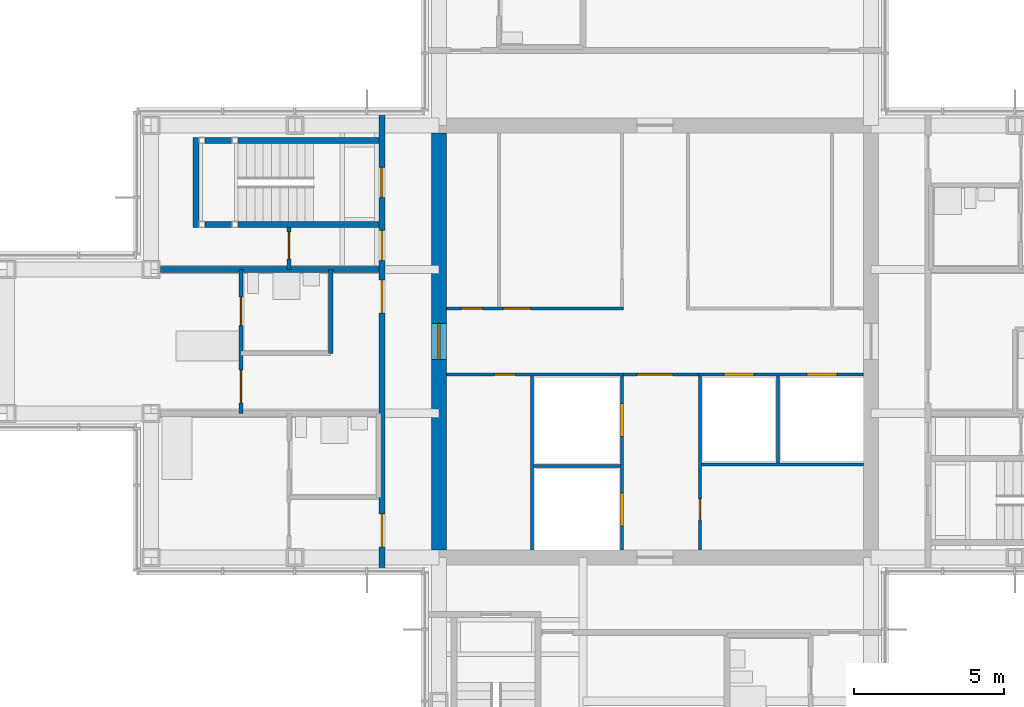
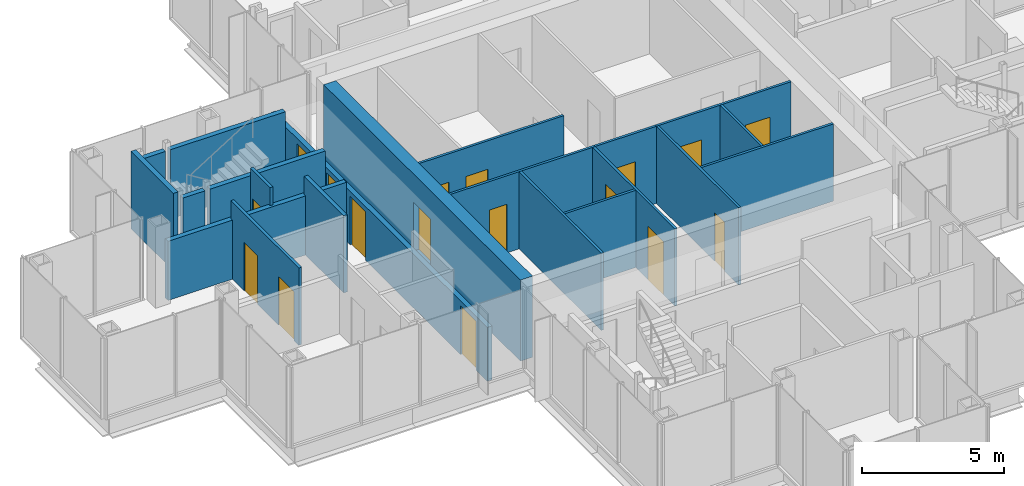
# One storey, part 12 of 17: 21 walls, 17 doors, 17 openings.
"""IFC4 building model written with IfcOpenShell, lengths in metres."""

from ifc_helpers import new_model, si_unit, direction, frame, frame_2d, origin, place, context, subcontext, project, spatial, rectangle, extrude, material, layer, layer_set, type_object, element, fill, save


model = new_model("IFC4")

# Units and contexts
model_context = context("Model", 3, precision=1e-05, world=origin(), true_north=direction((0.0, 1.0)))
body_context = subcontext(model_context, "Body", "Model", "MODEL_VIEW")
ifc_project = project(units=[si_unit("LENGTHUNIT", "METRE"), si_unit("AREAUNIT", "SQUARE_METRE"), si_unit("VOLUMEUNIT", "CUBIC_METRE"), si_unit("PLANEANGLEUNIT", "RADIAN"), si_unit("MASSUNIT", "GRAM", prefix="KILO")], contexts=[model_context])

# Site, building, storey
site_placement = place(None, origin())
site = spatial("IfcSite", under=ifc_project, at=site_placement, CompositionType="ELEMENT")
building_placement = place(site_placement, origin())
building = spatial("IfcBuilding", under=site, at=building_placement, Name="Kvirike Care Tower", CompositionType="ELEMENT")
storey_placement = place(building_placement, frame((0.0, 0.0, 169.0)))
storey = spatial("IfcBuildingStorey", under=building, at=storey_placement, Name="L46", CompositionType="ELEMENT", Elevation=169.0)

# Wall
ifc_material_1 = material(Name="Moisture-resistant board partition", Category="gypsum")
ifc_layer_1 = layer(ifc_material_1, 0.14990234375)
ifc_layer_set_1 = layer_set([ifc_layer_1], Name="BATHROOM WALL 150")
wall_type_1 = type_object("IfcWallType", Name="BATHROOM WALL 150", PredefinedType="PARTITIONING", material=ifc_layer_set_1)
wall_1_placement = place(storey_placement, frame((10.800048828125, 38.39990234375, 0.0), z_axis=(0.0, 0.0, 1.0), x_axis=(0.0, -1.0, 0.0)))
element("IfcWall", 1, at=wall_1_placement, inside=storey, type_object=wall_type_1, Name="Bathroom Wall 150 L46", PredefinedType="PARTITIONING", context=body_context, shape_type="SweptSolid", body=[
    extrude(rectangle(XDim=2.7998046875, YDim=0.14990234375, at=frame_2d((1.39990234375, 0.0))), origin(), (0.0, 0.0, 1.0), 3.330078125),
])

# Wall, opening, door
ifc_material_2 = material(Name="Concrete C45/55", Category="concrete")
ifc_layer_2 = layer(ifc_material_2, 0.5)
ifc_layer_set_2 = layer_set([ifc_layer_2], Name="CORE WALL 500 C45-55")
wall_type_2 = type_object("IfcWallType", Name="CORE WALL 500 C45-55", PredefinedType="SHEAR", material=ifc_layer_set_2)
wall_2_placement = place(storey_placement, frame((14.39990234375, 42.949951171875, -0.169921875), z_axis=(0.0, 0.0, 1.0), x_axis=(0.0, -1.0, 0.0)))
wall_2 = element("IfcWall", 2, at=wall_2_placement, inside=storey, type_object=wall_type_2, Name="Core wall W L46", PredefinedType="SHEAR", context=body_context, shape_type="SweptSolid", body=[
    extrude(rectangle(XDim=13.89990234375, YDim=0.5, at=frame_2d((6.949951171875, 0.0))), origin(), (0.0, 0.0, 1.0), 3.5),
])
opening_1_placement = place(wall_2_placement, frame((6.35009765625, 0.0, 0.169921875)))
opening_1 = element("IfcOpeningElement", 3, at=opening_1_placement, cuts=wall_2, Name="Opening 46-046", PredefinedType="OPENING", context=body_context, shape_type="SweptSolid", body=[
    extrude(rectangle(XDim=1.199951171875, YDim=2.10009765625, at=frame_2d((0.60009765625, 1.050048828125))), frame((0.0, 0.260498046875, 0.0), z_axis=(0.0, -1.0, 0.0), x_axis=(1.0, 0.0, 0.0)), (0.0, 0.0, 1.0), 0.52099609375),
])
ifc_material_3 = material(Name="Timber door set", Category="wood")
door_type_1 = type_object("IfcDoorType", Name="CORE DOOR 1200", OperationType="SINGLE_SWING_LEFT", PredefinedType="DOOR", material=ifc_material_3)
door_1_placement = place(opening_1_placement, origin())
door_1 = element("IfcDoor", 4, at=door_1_placement, inside=storey, type_object=door_type_1, Name="Core door W L46", OperationType="SINGLE_SWING_LEFT", OverallHeight=2.10009765625, OverallWidth=1.199951171875, PredefinedType="DOOR", context=body_context, shape_type="SweptSolid", body=[
    extrude(rectangle(XDim=1.199951171875, YDim=2.10009765625, at=frame_2d((0.60009765625, 1.050048828125))), frame((0.0, 0.02685546875, 0.0), z_axis=(0.0, -1.0, 0.0), x_axis=(1.0, 0.0, 0.0)), (0.0, 0.0, 1.0), 0.053955078125),
])
fill(opening_1, door_1)

# Wall, openings, doors
ifc_material_4 = material(Name="Plasterboard corridor wall", Category="gypsum")
ifc_layer_3 = layer(ifc_material_4, 0.199951171875)
ifc_layer_set_3 = layer_set([ifc_layer_3], Name="CORRIDOR WALL 200")
wall_type_3 = type_object("IfcWallType", Name="CORRIDOR WALL 200", PredefinedType="PARTITIONING", material=ifc_layer_set_3)
wall_3_placement = place(storey_placement, frame((12.5, 43.64990234375, 0.0), z_axis=(0.0, 0.0, 1.0), x_axis=(0.0, -1.0, 0.0)))
wall_3 = element("IfcWall", 5, at=wall_3_placement, inside=storey, type_object=wall_type_3, Name="Corridor Wall 200 L46", PredefinedType="PARTITIONING", context=body_context, shape_type="SweptSolid", body=[
    extrude(rectangle(XDim=15.2998046875, YDim=0.199951171875, at=frame_2d((7.64990234375, 0.0))), origin(), (0.0, 0.0, 1.0), 2.320068359375),
])
opening_2_placement = place(wall_3_placement, frame((1.85009765625, 0.0, 0.0)))
opening_2 = element("IfcOpeningElement", 6, at=opening_2_placement, cuts=wall_3, Name="Opening 46-006", PredefinedType="OPENING", context=body_context, shape_type="SweptSolid", body=[
    extrude(rectangle(XDim=1.0, YDim=2.10009765625, at=frame_2d((0.5, 1.050048828125))), frame((0.0, 0.110595703125, 0.0), z_axis=(0.0, -1.0, 0.0), x_axis=(1.0, 0.0, 0.0)), (0.0, 0.0, 1.0), 0.220947265625),
])
opening_3_placement = place(wall_3_placement, frame((3.949951171875, 0.0, 0.0)))
opening_3 = element("IfcOpeningElement", 7, at=opening_3_placement, cuts=wall_3, Name="Opening 46-007", PredefinedType="OPENING", context=body_context, shape_type="SweptSolid", body=[
    extrude(rectangle(XDim=1.0, YDim=2.10009765625, at=frame_2d((0.5, 1.050048828125))), frame((0.0, 0.110595703125, 0.0), z_axis=(0.0, -1.0, 0.0), x_axis=(1.0, 0.0, 0.0)), (0.0, 0.0, 1.0), 0.220947265625),
])
opening_4_placement = place(wall_3_placement, frame((5.60009765625, 0.0, 0.0)))
opening_4 = element("IfcOpeningElement", 8, at=opening_4_placement, cuts=wall_3, Name="Opening 46-008", PredefinedType="OPENING", context=body_context, shape_type="SweptSolid", body=[
    extrude(rectangle(XDim=1.10009765625, YDim=2.10009765625, at=frame_2d((0.550048828125, 1.050048828125))), frame((0.0, 0.110595703125, 0.0), z_axis=(0.0, -1.0, 0.0), x_axis=(1.0, 0.0, 0.0)), (0.0, 0.0, 1.0), 0.220947265625),
])
opening_5_placement = place(wall_3_placement, frame((13.39990234375, 0.0, 0.0)))
opening_5 = element("IfcOpeningElement", 9, at=opening_5_placement, cuts=wall_3, Name="Opening 46-009", PredefinedType="OPENING", context=body_context, shape_type="SweptSolid", body=[
    extrude(rectangle(XDim=1.10009765625, YDim=2.10009765625, at=frame_2d((0.550048828125, 1.050048828125))), frame((0.0, 0.110595703125, 0.0), z_axis=(0.0, -1.0, 0.0), x_axis=(1.0, 0.0, 0.0)), (0.0, 0.0, 1.0), 0.220947265625),
])
ifc_material_5 = material(Name="Timber door set", Category="wood")
door_type_2 = type_object("IfcDoorType", Name="BEDROOM ENTRANCE DOOR 1100", OperationType="SINGLE_SWING_LEFT", PredefinedType="DOOR", material=ifc_material_5)
door_2_placement = place(opening_4_placement, frame((1.10009765625, 0.0, 0.0), z_axis=(0.0, 0.0, 1.0), x_axis=(-1.0, 0.0, 0.0)))
door_2 = element("IfcDoor", 10, at=door_2_placement, inside=storey, type_object=door_type_2, Name="Memory care bedroom entrance", OperationType="SINGLE_SWING_LEFT", OverallHeight=2.10009765625, OverallWidth=1.10009765625, PredefinedType="DOOR", context=body_context, shape_type="SweptSolid", body=[
    extrude(rectangle(XDim=1.10009765625, YDim=2.10009765625, at=frame_2d((0.550048828125, 1.050048828125))), frame((0.0, 0.02685546875, 0.0), z_axis=(0.0, -1.0, 0.0), x_axis=(1.0, 0.0, 0.0)), (0.0, 0.0, 1.0), 0.053955078125),
])
fill(opening_4, door_2)
door_3_placement = place(opening_5_placement, frame((1.10009765625, 0.0, 0.0), z_axis=(0.0, 0.0, 1.0), x_axis=(-1.0, 0.0, 0.0)))
door_3 = element("IfcDoor", 11, at=door_3_placement, inside=storey, type_object=door_type_2, Name="Memory care bedroom entrance", OperationType="SINGLE_SWING_RIGHT", OverallHeight=2.10009765625, OverallWidth=1.10009765625, PredefinedType="DOOR", context=body_context, shape_type="SweptSolid", body=[
    extrude(rectangle(XDim=1.10009765625, YDim=2.10009765625, at=frame_2d((0.550048828125, 1.050048828125))), frame((0.0, 0.02685546875, 0.0), z_axis=(0.0, -1.0, 0.0), x_axis=(1.0, 0.0, 0.0)), (0.0, 0.0, 1.0), 0.053955078125),
])
fill(opening_5, door_3)
ifc_material_6 = material(Name="Timber door set", Category="wood")
door_type_3 = type_object("IfcDoorType", Name="FLAT ENTRANCE DOOR 1000", OperationType="SINGLE_SWING_LEFT", PredefinedType="DOOR", material=ifc_material_6)
door_4_placement = place(opening_3_placement, frame((1.0, 0.0, 0.0), z_axis=(0.0, 0.0, 1.0), x_axis=(-1.0, 0.0, 0.0)))
door_4 = element("IfcDoor", 12, at=door_4_placement, inside=storey, type_object=door_type_3, Name="Activity room entrance", OperationType="SINGLE_SWING_LEFT", OverallHeight=2.10009765625, OverallWidth=1.0, PredefinedType="DOOR", context=body_context, shape_type="SweptSolid", body=[
    extrude(rectangle(XDim=1.0, YDim=2.10009765625, at=frame_2d((0.5, 1.050048828125))), frame((0.0, 0.02685546875, 0.0), z_axis=(0.0, -1.0, 0.0), x_axis=(1.0, 0.0, 0.0)), (0.0, 0.0, 1.0), 0.053955078125),
])
fill(opening_3, door_4)
ifc_material_7 = material(Name="Timber door set", Category="wood")
door_type_4 = type_object("IfcDoorType", Name="STAIR DOOR 1000", OperationType="SINGLE_SWING_LEFT", PredefinedType="DOOR", material=ifc_material_7)
door_5_placement = place(opening_2_placement, frame((1.0, 0.0, 0.0), z_axis=(0.0, 0.0, 1.0), x_axis=(-1.0, 0.0, 0.0)))
door_5 = element("IfcDoor", 13, at=door_5_placement, inside=storey, type_object=door_type_4, Name="Stair 1 door", OperationType="SINGLE_SWING_LEFT", OverallHeight=2.10009765625, OverallWidth=1.0, PredefinedType="DOOR", context=body_context, shape_type="SweptSolid", body=[
    extrude(rectangle(XDim=1.0, YDim=2.10009765625, at=frame_2d((0.5, 1.050048828125))), frame((0.0, 0.031982421875, 0.0), z_axis=(0.0, -1.0, 0.0), x_axis=(1.0, 0.0, 0.0)), (0.0, 0.0, 1.0), 0.06396484375),
])
fill(opening_2, door_5)

# Wall, opening, door
ifc_material_8 = material(Name="Plasterboard partition", Category="gypsum")
ifc_layer_4 = layer(ifc_material_8, 0.1201171875)
ifc_layer_set_4 = layer_set([ifc_layer_4], Name="PARTITION 120")
wall_type_4 = type_object("IfcWallType", Name="PARTITION 120", PredefinedType="PARTITIONING", material=ifc_layer_set_4)
wall_4_placement = place(storey_placement, frame((9.39990234375, 39.800048828125, 0.0), z_axis=(0.0, 0.0, 1.0), x_axis=(0.0, -1.0, 0.0)))
wall_4 = element("IfcWall", 14, at=wall_4_placement, inside=storey, type_object=wall_type_4, Name="Partition 120 L46", PredefinedType="PARTITIONING", context=body_context, shape_type="SweptSolid", body=[
    extrude(rectangle(XDim=1.400146484375, YDim=0.1201171875, at=frame_2d((0.7001953125, 0.0))), origin(), (0.0, 0.0, 1.0), 3.330078125),
])
opening_6_placement = place(wall_4_placement, frame((0.14990234375, 0.0, 0.0)))
opening_6 = element("IfcOpeningElement", 15, at=opening_6_placement, cuts=wall_4, Name="Opening 46-001", PredefinedType="OPENING", context=body_context, shape_type="SweptSolid", body=[
    extrude(rectangle(XDim=0.89990234375, YDim=2.10009765625, at=frame_2d((0.449951171875, 1.050048828125))), frame((0.0, 0.070556640625, 0.0), z_axis=(0.0, -1.0, 0.0), x_axis=(1.0, 0.0, 0.0)), (0.0, 0.0, 1.0), 0.14111328125),
])
ifc_material_9 = material(Name="Timber door set", Category="wood")
door_type_5 = type_object("IfcDoorType", Name="INTERNAL DOOR 900", OperationType="SINGLE_SWING_LEFT", PredefinedType="DOOR", material=ifc_material_9)
door_6_placement = place(opening_6_placement, origin())
door_6 = element("IfcDoor", 16, at=door_6_placement, inside=storey, type_object=door_type_5, Name="Activity room door", OperationType="SINGLE_SWING_RIGHT", OverallHeight=2.10009765625, OverallWidth=0.89990234375, PredefinedType="DOOR", context=body_context, shape_type="SweptSolid", body=[
    extrude(rectangle(XDim=0.89990234375, YDim=2.10009765625, at=frame_2d((0.449951171875, 1.050048828125))), frame((0.0, 0.02197265625, 0.0), z_axis=(0.0, -1.0, 0.0), x_axis=(1.0, 0.0, 0.0)), (0.0, 0.0, 1.0), 0.0439453125),
])
fill(opening_6, door_6)

# Wall, openings, doors
wall_5_placement = place(storey_placement, frame((7.800048828125, 38.39990234375, 0.0), z_axis=(0.0, 0.0, 1.0), x_axis=(0.0, -1.0, 0.0)))
wall_5 = element("IfcWall", 17, at=wall_5_placement, inside=storey, type_object=wall_type_4, Name="Partition 120 L46", PredefinedType="PARTITIONING", context=body_context, shape_type="SweptSolid", body=[
    extrude(rectangle(XDim=4.7998046875, YDim=0.1201171875, at=frame_2d((2.39990234375, 0.0))), origin(), (0.0, 0.0, 1.0), 3.330078125),
])
opening_7_placement = place(wall_5_placement, frame((3.35009765625, 0.0, 0.0)))
opening_7 = element("IfcOpeningElement", 18, at=opening_7_placement, cuts=wall_5, Name="Opening 46-002", PredefinedType="OPENING", context=body_context, shape_type="SweptSolid", body=[
    extrude(rectangle(XDim=1.10009765625, YDim=2.10009765625, at=frame_2d((0.550048828125, 1.050048828125))), frame((0.0, 0.070556640625, 0.0), z_axis=(0.0, -1.0, 0.0), x_axis=(1.0, 0.0, 0.0)), (0.0, 0.0, 1.0), 0.14111328125),
])
opening_8_placement = place(wall_5_placement, frame((0.925048828125, 0.0, 0.0)))
opening_8 = element("IfcOpeningElement", 19, at=opening_8_placement, cuts=wall_5, Name="Opening 46-003", PredefinedType="OPENING", context=body_context, shape_type="SweptSolid", body=[
    extrude(rectangle(XDim=0.949951171875, YDim=2.10009765625, at=frame_2d((0.47509765625, 1.050048828125))), frame((0.0, 0.070556640625, 0.0), z_axis=(0.0, -1.0, 0.0), x_axis=(1.0, 0.0, 0.0)), (0.0, 0.0, 1.0), 0.14111328125),
])
ifc_material_10 = material(Name="Timber door set", Category="wood")
door_type_6 = type_object("IfcDoorType", Name="BEDROOM DOOR 1100", OperationType="SINGLE_SWING_LEFT", PredefinedType="DOOR", material=ifc_material_10)
door_7_placement = place(opening_7_placement, origin())
door_7 = element("IfcDoor", 20, at=door_7_placement, inside=storey, type_object=door_type_6, Name="Memory care bedroom door", OperationType="SINGLE_SWING_LEFT", OverallHeight=2.10009765625, OverallWidth=1.10009765625, PredefinedType="DOOR", context=body_context, shape_type="SweptSolid", body=[
    extrude(rectangle(XDim=1.10009765625, YDim=2.10009765625, at=frame_2d((0.550048828125, 1.050048828125))), frame((0.0, 0.02197265625, 0.0), z_axis=(0.0, -1.0, 0.0), x_axis=(1.0, 0.0, 0.0)), (0.0, 0.0, 1.0), 0.0439453125),
])
fill(opening_7, door_7)
ifc_material_11 = material(Name="Timber door set", Category="wood")
door_type_7 = type_object("IfcDoorType", Name="EN-SUITE SLIDING DOOR 950", OperationType="SLIDING_TO_LEFT", PredefinedType="DOOR", material=ifc_material_11)
door_8_placement = place(opening_8_placement, origin())
door_8 = element("IfcDoor", 21, at=door_8_placement, inside=storey, type_object=door_type_7, Name="En-suite door", OperationType="SLIDING_TO_RIGHT", OverallHeight=2.10009765625, OverallWidth=0.949951171875, PredefinedType="DOOR", context=body_context, shape_type="SweptSolid", body=[
    extrude(rectangle(XDim=0.949951171875, YDim=2.10009765625, at=frame_2d((0.47509765625, 1.050048828125))), frame((0.0, 0.02197265625, 0.0), z_axis=(0.0, -1.0, 0.0), x_axis=(1.0, 0.0, 0.0)), (0.0, 0.0, 1.0), 0.0439453125),
])
fill(opening_8, door_8)

# Wall
ifc_material_12 = material(Name="Plasterboard party wall", Category="gypsum")
ifc_layer_5 = layer(ifc_material_12, 0.199951171875)
ifc_layer_set_5 = layer_set([ifc_layer_5], Name="PARTY WALL 200")
wall_type_5 = type_object("IfcWallType", Name="PARTY WALL 200", PredefinedType="PARTITIONING", material=ifc_layer_set_5)
wall_6_placement = place(storey_placement, frame((5.1201171875, 38.39990234375, 0.0), z_axis=(0.0, 0.0, 1.0), x_axis=(1.0, 0.0, 0.0)))
element("IfcWall", 22, at=wall_6_placement, inside=storey, type_object=wall_type_5, Name="Party Wall 200 L46", PredefinedType="PARTITIONING", context=body_context, shape_type="SweptSolid", body=[
    extrude(rectangle(XDim=7.27978515625, YDim=0.199951171875, at=frame_2d((3.639892578125, 0.0))), origin(), (0.0, 0.0, 1.0), 2.550048828125),
])

# Wall, openings, doors
ifc_material_13 = material(Name="Gypsum shaft wall system", Category="gypsum")
ifc_layer_6 = layer(ifc_material_13, 0.10009765625)
ifc_layer_set_6 = layer_set([ifc_layer_6], Name="SHAFT WALL 100")
wall_type_6 = type_object("IfcWallType", Name="SHAFT WALL 100", PredefinedType="SOLIDWALL", material=ifc_layer_set_6)
wall_7_placement = place(storey_placement, frame((20.5, 29.050048828125, 0.0), z_axis=(0.0, 0.0, 1.0), x_axis=(0.0, 1.0, 0.0)))
wall_7 = element("IfcWall", 23, at=wall_7_placement, inside=storey, type_object=wall_type_6, Name="Shaft Wall 100 L46", PredefinedType="SOLIDWALL", context=body_context, shape_type="SweptSolid", body=[
    extrude(rectangle(XDim=5.800048828125, YDim=0.10009765625, at=frame_2d((2.89990234375, 0.0))), origin(), (0.0, 0.0, 1.0), 3.330078125),
])
opening_9_placement = place(wall_7_placement, frame((0.800048828125, 0.0, 0.0)))
opening_9 = element("IfcOpeningElement", 24, at=opening_9_placement, cuts=wall_7, Name="Opening 46-032", PredefinedType="OPENING", context=body_context, shape_type="SweptSolid", body=[
    extrude(rectangle(XDim=1.10009765625, YDim=2.300048828125, at=frame_2d((0.550048828125, 1.14990234375))), frame((0.0, 0.060546875, 0.0), z_axis=(0.0, -1.0, 0.0), x_axis=(1.0, 0.0, 0.0)), (0.0, 0.0, 1.0), 0.12109375),
])
opening_10_placement = place(wall_7_placement, frame((3.77490234375, 0.0, 0.0)))
opening_10 = element("IfcOpeningElement", 25, at=opening_10_placement, cuts=wall_7, Name="Opening 46-033", PredefinedType="OPENING", context=body_context, shape_type="SweptSolid", body=[
    extrude(rectangle(XDim=1.10009765625, YDim=2.300048828125, at=frame_2d((0.550048828125, 1.14990234375))), frame((0.0, 0.060546875, 0.0), z_axis=(0.0, -1.0, 0.0), x_axis=(1.0, 0.0, 0.0)), (0.0, 0.0, 1.0), 0.12109375),
])
ifc_material_14 = material(Name="Aluminium door frame", Category="aluminium")
door_type_8 = type_object("IfcDoorType", Name="FIRE-FIGHTING LIFT LANDING DOOR 1100", OperationType="SLIDING_TO_LEFT", PredefinedType="DOOR", material=ifc_material_14)
door_9_placement = place(opening_9_placement, origin())
door_9 = element("IfcDoor", 26, at=door_9_placement, inside=storey, type_object=door_type_8, Name="Lift FF1 landing door", OperationType="SLIDING_TO_LEFT", OverallHeight=2.300048828125, OverallWidth=1.10009765625, PredefinedType="DOOR", context=body_context, shape_type="SweptSolid", body=[
    extrude(rectangle(XDim=1.10009765625, YDim=2.300048828125, at=frame_2d((0.550048828125, 1.14990234375))), frame((0.0, 0.0498046875, 0.0), z_axis=(0.0, -1.0, 0.0), x_axis=(1.0, 0.0, 0.0)), (0.0, 0.0, 1.0), 0.099609375),
])
fill(opening_9, door_9)
door_10_placement = place(opening_10_placement, origin())
door_10 = element("IfcDoor", 27, at=door_10_placement, inside=storey, type_object=door_type_8, Name="Lift FF2 landing door", OperationType="SLIDING_TO_LEFT", OverallHeight=2.300048828125, OverallWidth=1.10009765625, PredefinedType="DOOR", context=body_context, shape_type="SweptSolid", body=[
    extrude(rectangle(XDim=1.10009765625, YDim=2.300048828125, at=frame_2d((0.550048828125, 1.14990234375))), frame((0.0, 0.0498046875, 0.0), z_axis=(0.0, -1.0, 0.0), x_axis=(1.0, 0.0, 0.0)), (0.0, 0.0, 1.0), 0.099609375),
])
fill(opening_10, door_10)

# Wall, opening, door
wall_8_placement = place(storey_placement, frame((23.10009765625, 29.050048828125, 0.0), z_axis=(0.0, 0.0, 1.0), x_axis=(0.0, 1.0, 0.0)))
wall_8 = element("IfcWall", 28, at=wall_8_placement, inside=storey, type_object=wall_type_6, Name="Shaft Wall 100 L46", PredefinedType="SOLIDWALL", context=body_context, shape_type="SweptSolid", body=[
    extrude(rectangle(XDim=5.800048828125, YDim=0.10009765625, at=frame_2d((2.89990234375, 0.0))), origin(), (0.0, 0.0, 1.0), 3.330078125),
])
opening_11_placement = place(wall_8_placement, frame((1.0, 0.0, 0.0)))
opening_11 = element("IfcOpeningElement", 29, at=opening_11_placement, cuts=wall_8, Name="Opening 46-036", PredefinedType="OPENING", context=body_context, shape_type="SweptSolid", body=[
    extrude(rectangle(XDim=0.699951171875, YDim=2.10009765625, at=frame_2d((0.35009765625, 1.050048828125))), frame((0.0, 0.060546875, 0.0), z_axis=(0.0, -1.0, 0.0), x_axis=(1.0, 0.0, 0.0)), (0.0, 0.0, 1.0), 0.12109375),
])
ifc_material_15 = material(Name="Timber door set", Category="wood")
door_type_9 = type_object("IfcDoorType", Name="RISER DOOR 700", OperationType="SINGLE_SWING_LEFT", PredefinedType="DOOR", material=ifc_material_15)
door_11_placement = place(opening_11_placement, origin())
door_11 = element("IfcDoor", 30, at=door_11_placement, inside=storey, type_object=door_type_9, Name="Riser door", OperationType="SINGLE_SWING_RIGHT", OverallHeight=2.10009765625, OverallWidth=0.699951171875, PredefinedType="DOOR", context=body_context, shape_type="SweptSolid", body=[
    extrude(rectangle(XDim=0.699951171875, YDim=2.10009765625, at=frame_2d((0.35009765625, 1.050048828125))), frame((0.0, 0.02685546875, 0.0), z_axis=(0.0, -1.0, 0.0), x_axis=(1.0, 0.0, 0.0)), (0.0, 0.0, 1.0), 0.053955078125),
])
fill(opening_11, door_11)

wall_9_placement = place(storey_placement, frame((14.64990234375, 34.89990234375, 0.0), z_axis=(0.0, 0.0, 1.0), x_axis=(1.0, 0.0, 0.0)))
wall_9 = element("IfcWall", 31, at=wall_9_placement, inside=storey, type_object=wall_type_6, Name="Shaft Wall 100 L46", PredefinedType="SOLIDWALL", context=body_context, shape_type="SweptSolid", body=[
    extrude(rectangle(XDim=5.900146484375, YDim=0.10009765625, at=frame_2d((2.9501953125, 0.0))), origin(), (0.0, 0.0, 1.0), 3.330078125),
])
opening_12_placement = place(wall_9_placement, frame((1.60009765625, 0.0, 0.0)))
opening_12 = element("IfcOpeningElement", 32, at=opening_12_placement, cuts=wall_9, Name="Opening 46-037", PredefinedType="OPENING", context=body_context, shape_type="SweptSolid", body=[
    extrude(rectangle(XDim=0.699951171875, YDim=2.10009765625, at=frame_2d((0.35009765625, 1.050048828125))), frame((0.0, 0.060546875, 0.0), z_axis=(0.0, -1.0, 0.0), x_axis=(1.0, 0.0, 0.0)), (0.0, 0.0, 1.0), 0.12109375),
])
door_12_placement = place(opening_12_placement, frame((0.699951171875, 0.0, 0.0), z_axis=(0.0, 0.0, 1.0), x_axis=(-1.0, 0.0, 0.0)))
door_12 = element("IfcDoor", 33, at=door_12_placement, inside=storey, type_object=door_type_9, Name="Riser door", OperationType="SINGLE_SWING_RIGHT", OverallHeight=2.10009765625, OverallWidth=0.699951171875, PredefinedType="DOOR", context=body_context, shape_type="SweptSolid", body=[
    extrude(rectangle(XDim=0.699951171875, YDim=2.10009765625, at=frame_2d((0.35009765625, 1.050048828125))), frame((0.0, 0.02685546875, 0.0), z_axis=(0.0, -1.0, 0.0), x_axis=(1.0, 0.0, 0.0)), (0.0, 0.0, 1.0), 0.053955078125),
])
fill(opening_12, door_12)

# Wall, openings, doors
wall_10_placement = place(storey_placement, frame((23.050048828125, 34.89990234375, 0.0), z_axis=(0.0, 0.0, 1.0), x_axis=(1.0, 0.0, 0.0)))
wall_10 = element("IfcWall", 34, at=wall_10_placement, inside=storey, type_object=wall_type_6, Name="Shaft Wall 100 L46", PredefinedType="SOLIDWALL", context=body_context, shape_type="SweptSolid", body=[
    extrude(rectangle(XDim=5.5, YDim=0.10009765625, at=frame_2d((2.75, 0.0))), origin(), (0.0, 0.0, 1.0), 3.330078125),
])
opening_13_placement = place(wall_10_placement, frame((0.85009765625, 0.0, 0.0)))
opening_13 = element("IfcOpeningElement", 35, at=opening_13_placement, cuts=wall_10, Name="Opening 46-038", PredefinedType="OPENING", context=body_context, shape_type="SweptSolid", body=[
    extrude(rectangle(XDim=1.0, YDim=2.10009765625, at=frame_2d((0.5, 1.050048828125))), frame((0.0, 0.060546875, 0.0), z_axis=(0.0, -1.0, 0.0), x_axis=(1.0, 0.0, 0.0)), (0.0, 0.0, 1.0), 0.12109375),
])
opening_14_placement = place(wall_10_placement, frame((3.625, 0.0, 0.0)))
opening_14 = element("IfcOpeningElement", 36, at=opening_14_placement, cuts=wall_10, Name="Opening 46-039", PredefinedType="OPENING", context=body_context, shape_type="SweptSolid", body=[
    extrude(rectangle(XDim=1.0, YDim=2.10009765625, at=frame_2d((0.5, 1.050048828125))), frame((0.0, 0.060546875, 0.0), z_axis=(0.0, -1.0, 0.0), x_axis=(1.0, 0.0, 0.0)), (0.0, 0.0, 1.0), 0.12109375),
])
ifc_material_16 = material(Name="Aluminium door frame", Category="aluminium")
door_type_10 = type_object("IfcDoorType", Name="LIFT LANDING DOOR 1000", OperationType="SLIDING_TO_LEFT", PredefinedType="DOOR", material=ifc_material_16)
door_13_placement = place(opening_13_placement, origin())
door_13 = element("IfcDoor", 37, at=door_13_placement, inside=storey, type_object=door_type_10, Name="Lift P5 landing door", OperationType="SLIDING_TO_LEFT", OverallHeight=2.10009765625, OverallWidth=1.0, PredefinedType="DOOR", context=body_context, shape_type="SweptSolid", body=[
    extrude(rectangle(XDim=1.0, YDim=2.10009765625, at=frame_2d((0.5, 1.050048828125))), frame((0.0, 0.0498046875, 0.0), z_axis=(0.0, -1.0, 0.0), x_axis=(1.0, 0.0, 0.0)), (0.0, 0.0, 1.0), 0.099609375),
])
fill(opening_13, door_13)
door_14_placement = place(opening_14_placement, origin())
door_14 = element("IfcDoor", 38, at=door_14_placement, inside=storey, type_object=door_type_10, Name="Lift P6 landing door", OperationType="SLIDING_TO_LEFT", OverallHeight=2.10009765625, OverallWidth=1.0, PredefinedType="DOOR", context=body_context, shape_type="SweptSolid", body=[
    extrude(rectangle(XDim=1.0, YDim=2.10009765625, at=frame_2d((0.5, 1.050048828125))), frame((0.0, 0.0498046875, 0.0), z_axis=(0.0, -1.0, 0.0), x_axis=(1.0, 0.0, 0.0)), (0.0, 0.0, 1.0), 0.099609375),
])
fill(opening_14, door_14)

wall_11_placement = place(storey_placement, frame((14.64990234375, 37.10009765625, 0.0), z_axis=(0.0, 0.0, 1.0), x_axis=(1.0, 0.0, 0.0)))
wall_11 = element("IfcWall", 39, at=wall_11_placement, inside=storey, type_object=wall_type_6, Name="Shaft Wall 100 L46", PredefinedType="SOLIDWALL", context=body_context, shape_type="SweptSolid", body=[
    extrude(rectangle(XDim=5.900146484375, YDim=0.10009765625, at=frame_2d((2.9501953125, 0.0))), origin(), (0.0, 0.0, 1.0), 3.330078125),
])
opening_15_placement = place(wall_11_placement, frame((0.5, 0.0, 0.0)))
opening_15 = element("IfcOpeningElement", 40, at=opening_15_placement, cuts=wall_11, Name="Opening 46-040", PredefinedType="OPENING", context=body_context, shape_type="SweptSolid", body=[
    extrude(rectangle(XDim=0.699951171875, YDim=2.10009765625, at=frame_2d((0.35009765625, 1.050048828125))), frame((0.0, 0.060546875, 0.0), z_axis=(0.0, -1.0, 0.0), x_axis=(1.0, 0.0, 0.0)), (0.0, 0.0, 1.0), 0.12109375),
])
opening_16_placement = place(wall_11_placement, frame((1.89990234375, 0.0, 0.0)))
opening_16 = element("IfcOpeningElement", 41, at=opening_16_placement, cuts=wall_11, Name="Opening 46-041", PredefinedType="OPENING", context=body_context, shape_type="SweptSolid", body=[
    extrude(rectangle(XDim=0.89990234375, YDim=2.10009765625, at=frame_2d((0.449951171875, 1.050048828125))), frame((0.0, 0.060546875, 0.0), z_axis=(0.0, -1.0, 0.0), x_axis=(1.0, 0.0, 0.0)), (0.0, 0.0, 1.0), 0.12109375),
])
door_15_placement = place(opening_15_placement, origin())
door_15 = element("IfcDoor", 42, at=door_15_placement, inside=storey, type_object=door_type_9, Name="Riser door", OperationType="SINGLE_SWING_RIGHT", OverallHeight=2.10009765625, OverallWidth=0.699951171875, PredefinedType="DOOR", context=body_context, shape_type="SweptSolid", body=[
    extrude(rectangle(XDim=0.699951171875, YDim=2.10009765625, at=frame_2d((0.35009765625, 1.050048828125))), frame((0.0, 0.02685546875, 0.0), z_axis=(0.0, -1.0, 0.0), x_axis=(1.0, 0.0, 0.0)), (0.0, 0.0, 1.0), 0.053955078125),
])
fill(opening_15, door_15)
ifc_material_17 = material(Name="Timber door set", Category="wood")
door_type_11 = type_object("IfcDoorType", Name="STORE DOOR 900", OperationType="SINGLE_SWING_LEFT", PredefinedType="DOOR", material=ifc_material_17)
door_16_placement = place(opening_16_placement, origin())
door_16 = element("IfcDoor", 43, at=door_16_placement, inside=storey, type_object=door_type_11, Name="Staff changing room door", OperationType="SINGLE_SWING_RIGHT", OverallHeight=2.10009765625, OverallWidth=0.89990234375, PredefinedType="DOOR", context=body_context, shape_type="SweptSolid", body=[
    extrude(rectangle(XDim=0.89990234375, YDim=2.10009765625, at=frame_2d((0.449951171875, 1.050048828125))), frame((0.0, 0.02685546875, 0.0), z_axis=(0.0, -1.0, 0.0), x_axis=(1.0, 0.0, 0.0)), (0.0, 0.0, 1.0), 0.053955078125),
])
fill(opening_16, door_16)

# Wall, opening, door
wall_12_placement = place(storey_placement, frame((20.550048828125, 34.89990234375, 0.0), z_axis=(0.0, 0.0, 1.0), x_axis=(1.0, 0.0, 0.0)))
wall_12 = element("IfcWall", 44, at=wall_12_placement, inside=storey, type_object=wall_type_6, Name="Shaft Wall 100 L46", PredefinedType="SOLIDWALL", context=body_context, shape_type="SweptSolid", body=[
    extrude(rectangle(XDim=2.5, YDim=0.10009765625, at=frame_2d((1.25, 0.0))), origin(), (0.0, 0.0, 1.0), 3.330078125),
])
opening_17_placement = place(wall_12_placement, frame((0.449951171875, 0.0, 0.0)))
opening_17 = element("IfcOpeningElement", 45, at=opening_17_placement, cuts=wall_12, Name="Opening 46-044", PredefinedType="OPENING", context=body_context, shape_type="SweptSolid", body=[
    extrude(rectangle(XDim=1.199951171875, YDim=2.10009765625, at=frame_2d((0.60009765625, 1.050048828125))), frame((0.0, 0.060546875, 0.0), z_axis=(0.0, -1.0, 0.0), x_axis=(1.0, 0.0, 0.0)), (0.0, 0.0, 1.0), 0.12109375),
])
door_17_placement = place(opening_17_placement, frame((1.199951171875, 0.0, 0.0), z_axis=(0.0, 0.0, 1.0), x_axis=(-1.0, 0.0, 0.0)))
door_17 = element("IfcDoor", 46, at=door_17_placement, inside=storey, type_object=door_type_1, Name="Fire-fighting lobby door", OperationType="SINGLE_SWING_LEFT", OverallHeight=2.10009765625, OverallWidth=1.199951171875, PredefinedType="DOOR", context=body_context, shape_type="SweptSolid", body=[
    extrude(rectangle(XDim=1.199951171875, YDim=2.10009765625, at=frame_2d((0.60009765625, 1.050048828125))), frame((0.0, 0.02685546875, 0.0), z_axis=(0.0, -1.0, 0.0), x_axis=(1.0, 0.0, 0.0)), (0.0, 0.0, 1.0), 0.053955078125),
])
fill(opening_17, door_17)

# Walls
wall_13_placement = place(storey_placement, frame((17.5, 29.050048828125, 0.0), z_axis=(0.0, 0.0, 1.0), x_axis=(0.0, 1.0, 0.0)))
element("IfcWall", 47, at=wall_13_placement, inside=storey, type_object=wall_type_6, Name="Shaft Wall 100 L46", PredefinedType="SOLIDWALL", context=body_context, shape_type="SweptSolid", body=[
    extrude(rectangle(XDim=5.800048828125, YDim=0.10009765625, at=frame_2d((2.89990234375, 0.0))), origin(), (0.0, 0.0, 1.0), 3.330078125),
])
wall_14_placement = place(storey_placement, frame((17.550048828125, 31.85009765625, 0.0), z_axis=(0.0, 0.0, 1.0), x_axis=(1.0, 0.0, 0.0)))
element("IfcWall", 48, at=wall_14_placement, inside=storey, type_object=wall_type_6, Name="Shaft Wall 100 L46", PredefinedType="SOLIDWALL", context=body_context, shape_type="SweptSolid", body=[
    extrude(rectangle(XDim=2.89990234375, YDim=0.10009765625, at=frame_2d((1.449951171875, 0.0))), origin(), (0.0, 0.0, 1.0), 3.330078125),
])
wall_15_placement = place(storey_placement, frame((25.699951171875, 31.949951171875, 0.0), z_axis=(0.0, 0.0, 1.0), x_axis=(0.0, 1.0, 0.0)))
element("IfcWall", 49, at=wall_15_placement, inside=storey, type_object=wall_type_6, Name="Shaft Wall 100 L46", PredefinedType="SOLIDWALL", context=body_context, shape_type="SweptSolid", body=[
    extrude(rectangle(XDim=2.900146484375, YDim=0.10009765625, at=frame_2d((1.4501953125, 0.0))), origin(), (0.0, 0.0, 1.0), 3.330078125),
])
wall_16_placement = place(storey_placement, frame((23.14990234375, 31.89990234375, 0.0), z_axis=(0.0, 0.0, 1.0), x_axis=(1.0, 0.0, 0.0)))
element("IfcWall", 50, at=wall_16_placement, inside=storey, type_object=wall_type_6, Name="Shaft Wall 100 L46", PredefinedType="SOLIDWALL", context=body_context, shape_type="SweptSolid", body=[
    extrude(rectangle(XDim=5.400146484375, YDim=0.10009765625, at=frame_2d((2.7001953125, 0.0))), origin(), (0.0, 0.0, 1.0), 3.330078125),
])
ifc_material_18 = material(Name="Concrete C40/50", Category="concrete")
ifc_layer_7 = layer(ifc_material_18, 0.199951171875)
ifc_layer_set_7 = layer_set([ifc_layer_7], Name="STAIR WALL 200")
wall_type_7 = type_object("IfcWallType", Name="STAIR WALL 200", PredefinedType="SOLIDWALL", material=ifc_layer_set_7)
wall_17_placement = place(storey_placement, frame((6.60009765625, 42.699951171875, 0.0), z_axis=(0.0, 0.0, 1.0), x_axis=(1.0, 0.0, 0.0)))
element("IfcWall", 51, at=wall_17_placement, inside=storey, type_object=wall_type_7, Name="Stair Wall 200 L46", PredefinedType="SOLIDWALL", context=body_context, shape_type="SweptSolid", body=[
    extrude(rectangle(XDim=0.89990234375, YDim=0.199951171875, at=frame_2d((0.449951171875, 0.0))), origin(), (0.0, 0.0, 1.0), 2.989990234375),
])
wall_18_placement = place(storey_placement, frame((7.699951171875, 42.699951171875, 0.0), z_axis=(0.0, 0.0, 1.0), x_axis=(1.0, 0.0, 0.0)))
element("IfcWall", 52, at=wall_18_placement, inside=storey, type_object=wall_type_7, Name="Stair Wall 200 L46", PredefinedType="SOLIDWALL", context=body_context, shape_type="SweptSolid", body=[
    extrude(rectangle(XDim=4.699951171875, YDim=0.199951171875, at=frame_2d((2.35009765625, 0.0))), origin(), (0.0, 0.0, 1.0), 2.989990234375),
])
wall_19_placement = place(storey_placement, frame((6.60009765625, 39.89990234375, 0.0), z_axis=(0.0, 0.0, 1.0), x_axis=(1.0, 0.0, 0.0)))
element("IfcWall", 53, at=wall_19_placement, inside=storey, type_object=wall_type_7, Name="Stair Wall 200 L46", PredefinedType="SOLIDWALL", context=body_context, shape_type="SweptSolid", body=[
    extrude(rectangle(XDim=0.89990234375, YDim=0.199951171875, at=frame_2d((0.449951171875, 0.0))), origin(), (0.0, 0.0, 1.0), 2.989990234375),
])
wall_20_placement = place(storey_placement, frame((7.699951171875, 39.89990234375, 0.0), z_axis=(0.0, 0.0, 1.0), x_axis=(1.0, 0.0, 0.0)))
element("IfcWall", 54, at=wall_20_placement, inside=storey, type_object=wall_type_7, Name="Stair Wall 200 L46", PredefinedType="SOLIDWALL", context=body_context, shape_type="SweptSolid", body=[
    extrude(rectangle(XDim=4.699951171875, YDim=0.199951171875, at=frame_2d((2.35009765625, 0.0))), origin(), (0.0, 0.0, 1.0), 2.989990234375),
])
wall_21_placement = place(storey_placement, frame((6.300048828125, 42.800048828125, 0.0), z_axis=(0.0, 0.0, 1.0), x_axis=(0.0, -1.0, 0.0)))
element("IfcWall", 55, at=wall_21_placement, inside=storey, type_object=wall_type_7, Name="Stair Wall 200 L46", PredefinedType="SOLIDWALL", context=body_context, shape_type="SweptSolid", body=[
    extrude(rectangle(XDim=3.0, YDim=0.199951171875, at=frame_2d((1.5, 0.0))), origin(), (0.0, 0.0, 1.0), 3.330078125),
])

save(model, "model.ifc")
